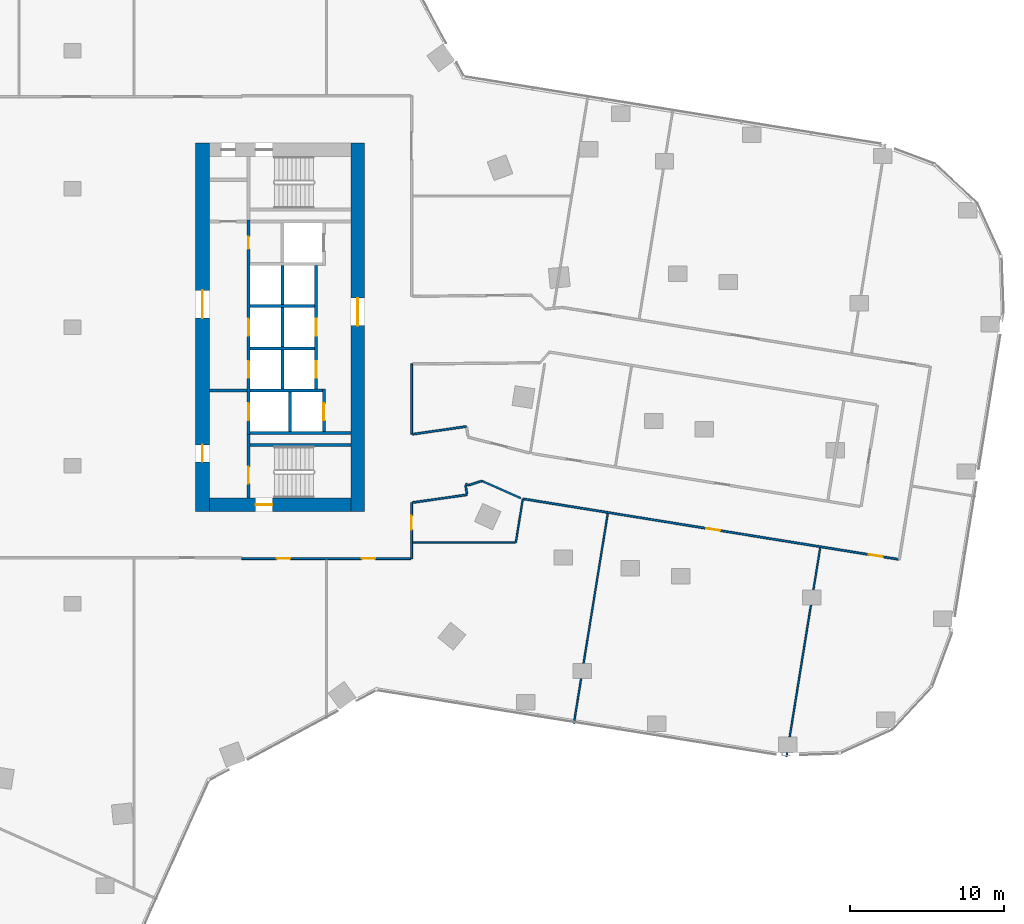
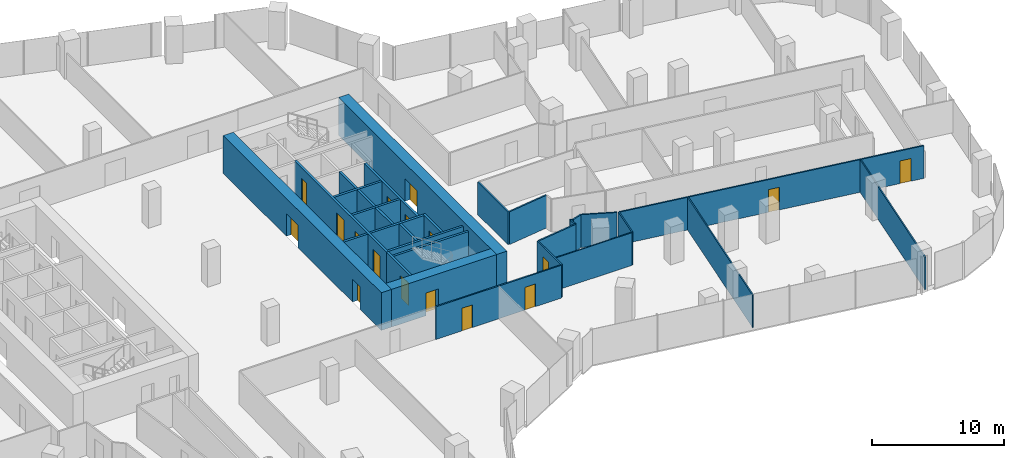
# One storey, part 27 of 34: 31 walls, 17 doors, 17 openings.
"""IFC4 building model written with IfcOpenShell, lengths in metres."""

from ifc_helpers import new_model, si_unit, direction, frame, frame_2d, origin, place, context, subcontext, project, spatial, rectangle, extrude, material, layer, layer_set, type_object, element, fill, save


model = new_model("IFC4")

# Units and contexts
model_context = context("Model", 3, precision=1e-05, world=origin(), true_north=direction((0.0, 1.0)))
body_context = subcontext(model_context, "Body", "Model", "MODEL_VIEW")
ifc_project = project(units=[si_unit("LENGTHUNIT", "METRE"), si_unit("AREAUNIT", "SQUARE_METRE"), si_unit("VOLUMEUNIT", "CUBIC_METRE"), si_unit("PLANEANGLEUNIT", "RADIAN"), si_unit("MASSUNIT", "GRAM", prefix="KILO")], contexts=[model_context])

# Site, building, storey
site_placement = place(None, origin())
site = spatial("IfcSite", under=ifc_project, at=site_placement, CompositionType="ELEMENT")
building_placement = place(site_placement, origin())
building = spatial("IfcBuilding", under=site, at=building_placement, Name="Orlundy Tower", CompositionType="ELEMENT")
storey_placement = place(building_placement, frame((0.0, 0.0, 137.699951171875)))
storey = spatial("IfcBuildingStorey", under=building, at=storey_placement, Name="L35", CompositionType="ELEMENT", Elevation=137.699951171875)

# Wall, opening, door
ifc_material_1 = material(Name="Concrete C80/95", Category="concrete")
ifc_layer_1 = layer(ifc_material_1, 0.89990234375)
ifc_layer_set_1 = layer_set([ifc_layer_1], Name="CORE WALL 900 C80/95")
wall_type_1 = type_object("IfcWallType", Name="CORE WALL 900 C80/95", PredefinedType="SHEAR", material=ifc_layer_set_1)
wall_1_placement = place(storey_placement, frame((8.89990234375, -11.550048828125, 0.0), z_axis=(0.0, 0.0, 1.0), x_axis=(1.0, 0.0, 0.0)))
wall_1 = element("IfcWall", 1, at=wall_1_placement, inside=storey, type_object=wall_type_1, Name="Core wall E-S L35", PredefinedType="SHEAR", context=body_context, shape_type="SweptSolid", body=[
    extrude(rectangle(XDim=9.2001953125, YDim=0.89990234375, at=frame_2d((4.60009765625, 0.0))), origin(), (0.0, 0.0, 1.0), 3.5),
])
opening_1_placement = place(wall_1_placement, frame((3.0, 0.0, 0.0)))
opening_1 = element("IfcOpeningElement", 2, at=opening_1_placement, cuts=wall_1, Name="Opening 26061", PredefinedType="OPENING", context=body_context, shape_type="SweptSolid", body=[
    extrude(rectangle(XDim=1.10009765625, YDim=2.10009765625, at=frame_2d((0.550048828125, 1.050048828125))), frame((0.0, 0.4599609375, 0.0), z_axis=(0.0, -1.0, 0.0), x_axis=(1.0, 0.0, 0.0)), (0.0, 0.0, 1.0), 0.919921875),
])
ifc_material_2 = material(Name="Steel door set", Category="steel")
door_type_1 = type_object("IfcDoorType", Name="Stair Door 1100x2100", OperationType="SINGLE_SWING_LEFT", PredefinedType="DOOR", material=ifc_material_2)
door_1_placement = place(opening_1_placement, origin())
door_1 = element("IfcDoor", 3, at=door_1_placement, inside=storey, type_object=door_type_1, Name="Stair door 26061", OperationType="SINGLE_SWING_LEFT", OverallHeight=2.10009765625, OverallWidth=1.10009765625, PredefinedType="DOOR", context=body_context, shape_type="SweptSolid", body=[
    extrude(rectangle(XDim=1.10009765625, YDim=2.10009765625, at=frame_2d((0.550048828125, 1.050048828125))), frame((0.0, 0.02490234375, 0.0), z_axis=(0.0, -1.0, 0.0), x_axis=(1.0, 0.0, 0.0)), (0.0, 0.0, 1.0), 0.050048828125),
])
fill(opening_1, door_1)

# Wall, openings, doors
wall_2_placement = place(storey_placement, frame((8.449951171875, -12.0, 0.0), z_axis=(0.0, 0.0, 1.0), x_axis=(0.0, 1.0, 0.0)))
wall_2 = element("IfcWall", 4, at=wall_2_placement, inside=storey, type_object=wall_type_1, Name="Core wall E-W L35", PredefinedType="SHEAR", context=body_context, shape_type="SweptSolid", body=[
    extrude(rectangle(XDim=24.0, YDim=0.89990234375, at=frame_2d((12.0, 0.0))), origin(), (0.0, 0.0, 1.0), 3.5),
])
opening_2_placement = place(wall_2_placement, frame((12.60009765625, 0.0, 0.0)))
opening_2 = element("IfcOpeningElement", 5, at=opening_2_placement, cuts=wall_2, Name="Opening 26058", PredefinedType="OPENING", context=body_context, shape_type="SweptSolid", body=[
    extrude(rectangle(XDim=1.800048828125, YDim=2.10009765625, at=frame_2d((0.89990234375, 1.050048828125))), frame((0.0, 0.4599609375, 0.0), z_axis=(0.0, -1.0, 0.0), x_axis=(1.0, 0.0, 0.0)), (0.0, 0.0, 1.0), 0.919921875),
])
opening_3_placement = place(wall_2_placement, frame((3.25, 0.0, 0.0)))
opening_3 = element("IfcOpeningElement", 6, at=opening_3_placement, cuts=wall_2, Name="Opening 26060", PredefinedType="OPENING", context=body_context, shape_type="SweptSolid", body=[
    extrude(rectangle(XDim=1.10009765625, YDim=2.10009765625, at=frame_2d((0.550048828125, 1.050048828125))), frame((0.0, 0.4599609375, 0.0), z_axis=(0.0, -1.0, 0.0), x_axis=(1.0, 0.0, 0.0)), (0.0, 0.0, 1.0), 0.919921875),
])
ifc_material_3 = material(Name="Steel door set", Category="steel")
door_type_2 = type_object("IfcDoorType", Name="Fire-fighting Lobby Door 1100x2100", OperationType="SINGLE_SWING_LEFT", PredefinedType="DOOR", material=ifc_material_3)
door_2_placement = place(opening_3_placement, origin())
door_2 = element("IfcDoor", 7, at=door_2_placement, inside=storey, type_object=door_type_2, Name="Fire-fighting lobby door 26060", OperationType="SINGLE_SWING_LEFT", OverallHeight=2.10009765625, OverallWidth=1.10009765625, PredefinedType="DOOR", context=body_context, shape_type="SweptSolid", body=[
    extrude(rectangle(XDim=1.10009765625, YDim=2.10009765625, at=frame_2d((0.550048828125, 1.050048828125))), frame((0.0, 0.02490234375, 0.0), z_axis=(0.0, -1.0, 0.0), x_axis=(1.0, 0.0, 0.0)), (0.0, 0.0, 1.0), 0.050048828125),
])
fill(opening_3, door_2)
ifc_material_4 = material(Name="Timber door set", Category="wood")
door_type_3 = type_object("IfcDoorType", Name="Lobby Door 1800x2100", OperationType="DOUBLE_DOOR_DOUBLE_SWING", PredefinedType="DOOR", material=ifc_material_4)
door_3_placement = place(opening_2_placement, origin())
door_3 = element("IfcDoor", 8, at=door_3_placement, inside=storey, type_object=door_type_3, Name="Lift lobby door 26058", OperationType="SINGLE_SWING_RIGHT", OverallHeight=2.10009765625, OverallWidth=1.800048828125, PredefinedType="DOOR", context=body_context, shape_type="SweptSolid", body=[
    extrude(rectangle(XDim=1.800048828125, YDim=2.10009765625, at=frame_2d((0.89990234375, 1.050048828125))), frame((0.0, 0.02490234375, 0.0), z_axis=(0.0, -1.0, 0.0), x_axis=(1.0, 0.0, 0.0)), (0.0, 0.0, 1.0), 0.050048828125),
])
fill(opening_2, door_3)

# Wall, opening, door
wall_3_placement = place(storey_placement, frame((18.550048828125, -12.0, 0.0), z_axis=(0.0, 0.0, 1.0), x_axis=(0.0, 1.0, 0.0)))
wall_3 = element("IfcWall", 9, at=wall_3_placement, inside=storey, type_object=wall_type_1, Name="Core wall E-E L35", PredefinedType="SHEAR", context=body_context, shape_type="SweptSolid", body=[
    extrude(rectangle(XDim=24.0, YDim=0.89990234375, at=frame_2d((12.0, 0.0))), origin(), (0.0, 0.0, 1.0), 3.5),
])
opening_4_placement = place(wall_3_placement, frame((12.10009765625, 0.0, 0.0)))
opening_4 = element("IfcOpeningElement", 10, at=opening_4_placement, cuts=wall_3, Name="Opening 26059", PredefinedType="OPENING", context=body_context, shape_type="SweptSolid", body=[
    extrude(rectangle(XDim=1.800048828125, YDim=2.10009765625, at=frame_2d((0.89990234375, 1.050048828125))), frame((0.0, 0.4599609375, 0.0), z_axis=(0.0, -1.0, 0.0), x_axis=(1.0, 0.0, 0.0)), (0.0, 0.0, 1.0), 0.919921875),
])
door_4_placement = place(opening_4_placement, origin())
door_4 = element("IfcDoor", 11, at=door_4_placement, inside=storey, type_object=door_type_3, Name="Lift lobby door 26059", OperationType="SINGLE_SWING_RIGHT", OverallHeight=2.10009765625, OverallWidth=1.800048828125, PredefinedType="DOOR", context=body_context, shape_type="SweptSolid", body=[
    extrude(rectangle(XDim=1.800048828125, YDim=2.10009765625, at=frame_2d((0.89990234375, 1.050048828125))), frame((0.0, 0.02490234375, 0.0), z_axis=(0.0, -1.0, 0.0), x_axis=(1.0, 0.0, 0.0)), (0.0, 0.0, 1.0), 0.050048828125),
])
fill(opening_4, door_4)

# Walls
ifc_material_5 = material(Name="Gypsum board partition")
ifc_layer_2 = layer(ifc_material_5, 0.10009765625)
ifc_layer_set_2 = layer_set([ifc_layer_2], Name="Floor partition 100")
wall_type_2 = type_object("IfcWallType", Name="Floor partition 100", PredefinedType="PARTITIONING", material=ifc_layer_set_2)
wall_4_placement = place(storey_placement, frame((22.113037109375, -14.0, 0.0), z_axis=(0.0, 0.0, 1.0), x_axis=(1.0, 0.0, 0.0)))
element("IfcWall", 12, at=wall_4_placement, inside=storey, type_object=wall_type_2, Name="wall-int-L35-036", PredefinedType="PARTITIONING", context=body_context, shape_type="SweptSolid", body=[
    extrude(rectangle(XDim=6.66796875, YDim=0.10009765625, at=frame_2d((3.333984375, 0.0))), origin(), (0.0, 0.0, 1.0), 3.030029296875),
])
wall_5_placement = place(storey_placement, frame((46.43994140625, -27.950927734375, 0.0), z_axis=(0.0, 0.0, 1.0), x_axis=(0.159329896372, 0.987225396818, 0.0)))
element("IfcWall", 13, at=wall_5_placement, inside=storey, type_object=wall_type_2, Name="wall-int-L35-064", PredefinedType="PARTITIONING", context=body_context, shape_type="SweptSolid", body=[
    extrude(rectangle(XDim=13.782958984375, YDim=0.10009765625, at=frame_2d((6.8916015625, 0.0))), origin(), (0.0, 0.0, 1.0), 3.030029296875),
])
wall_6_placement = place(storey_placement, frame((32.610107421875, -25.77392578125, 0.0), z_axis=(0.0, 0.0, 1.0), x_axis=(0.159346714874, 0.987222682306, 0.0)))
element("IfcWall", 14, at=wall_6_placement, inside=storey, type_object=wall_type_2, Name="wall-int-L35-067", PredefinedType="PARTITIONING", context=body_context, shape_type="SweptSolid", body=[
    extrude(rectangle(XDim=13.836669921875, YDim=0.10009765625, at=frame_2d((6.91845703125, 0.0))), origin(), (0.0, 0.0, 1.0), 3.030029296875),
])
wall_7_placement = place(storey_placement, frame((28.8310546875, -13.9990234375, 0.0), z_axis=(0.0, 0.0, 1.0), x_axis=(0.15953925726, 0.987191584948, 0.0)))
element("IfcWall", 15, at=wall_7_placement, inside=storey, type_object=wall_type_2, Name="wall-int-L35-070", PredefinedType="PARTITIONING", context=body_context, shape_type="SweptSolid", body=[
    extrude(rectangle(XDim=2.876953125, YDim=0.10009765625, at=frame_2d((1.4384765625, 0.0))), origin(), (0.0, 0.0, 1.0), 3.030029296875),
])
ifc_material_6 = material(Name="Gypsum board partition, double layer")
ifc_layer_3 = layer(ifc_material_6, 0.125)
ifc_layer_set_3 = layer_set([ifc_layer_3], Name="Floor partition 125")
wall_type_3 = type_object("IfcWallType", Name="Floor partition 125", PredefinedType="PARTITIONING", material=ifc_layer_set_3)
wall_8_placement = place(storey_placement, frame((25.571044921875, -10.299072265625, 0.0), z_axis=(0.0, 0.0, 1.0), x_axis=(0.141799477861, -0.989895402595, 0.0)))
element("IfcWall", 16, at=wall_8_placement, inside=storey, type_object=wall_type_3, Name="wall-int-L35-006", PredefinedType="PARTITIONING", context=body_context, shape_type="SweptSolid", body=[
    extrude(rectangle(XDim=0.542236328125, YDim=0.125, at=frame_2d((0.27099609375, 0.0))), origin(), (0.0, 0.0, 1.0), 3.030029296875),
])
wall_9_placement = place(storey_placement, frame((26.6259765625, -9.9990234375, 0.0), z_axis=(0.0, 0.0, 1.0), x_axis=(0.914493335472, -0.404600963145, 0.0)))
element("IfcWall", 17, at=wall_9_placement, inside=storey, type_object=wall_type_3, Name="wall-int-L35-010", PredefinedType="PARTITIONING", context=body_context, shape_type="SweptSolid", body=[
    extrude(rectangle(XDim=2.770751953125, YDim=0.125, at=frame_2d((1.38525390625, 0.0))), origin(), (0.0, 0.0, 1.0), 3.030029296875),
])
wall_10_placement = place(storey_placement, frame((25.55810546875, -10.2060546875, 0.0), z_axis=(0.0, 0.0, 1.0), x_axis=(0.968355193071, -0.249576080688, 0.0)))
element("IfcWall", 18, at=wall_10_placement, inside=storey, type_object=wall_type_3, Name="wall-int-L35-022", PredefinedType="PARTITIONING", context=body_context, shape_type="SweptSolid", body=[
    extrude(rectangle(XDim=0.24462890625, YDim=0.125, at=frame_2d((0.122314453125, 0.0))), origin(), (0.0, 0.0, 1.0), 3.030029296875),
])

# Wall, openings, doors
wall_11_placement = place(storey_placement, frame((53.719970703125, -15.096923828125, 0.0), z_axis=(0.0, 0.0, 1.0), x_axis=(-0.987256807208, 0.159135152063, 0.0)))
wall_11 = element("IfcWall", 19, at=wall_11_placement, inside=storey, type_object=wall_type_3, Name="wall-int-L35-024", PredefinedType="PARTITIONING", context=body_context, shape_type="SweptSolid", body=[
    extrude(rectangle(XDim=24.695556640625, YDim=0.125, at=frame_2d((12.34765625, 0.0))), origin(), (0.0, 0.0, 1.0), 3.030029296875),
])
opening_5_placement = place(wall_11_placement, frame((1.038818359375, 0.0, 0.0)))
opening_5 = element("IfcOpeningElement", 20, at=opening_5_placement, cuts=wall_11, Name="Opening 26105", PredefinedType="OPENING", context=body_context, shape_type="SweptSolid", body=[
    extrude(rectangle(XDim=0.89990234375, YDim=2.10009765625, at=frame_2d((0.449951171875, 1.050048828125))), frame((0.0, 0.072509765625, 0.0), z_axis=(0.0, -1.0, 0.0), x_axis=(1.0, 0.0, 0.0)), (0.0, 0.0, 1.0), 0.14501953125),
])
opening_6_placement = place(wall_11_placement, frame((11.7392578125, 0.0, 0.0)))
opening_6 = element("IfcOpeningElement", 21, at=opening_6_placement, cuts=wall_11, Name="Opening 26107", PredefinedType="OPENING", context=body_context, shape_type="SweptSolid", body=[
    extrude(rectangle(XDim=0.89990234375, YDim=2.10009765625, at=frame_2d((0.449951171875, 1.050048828125))), frame((0.0, 0.072509765625, 0.0), z_axis=(0.0, -1.0, 0.0), x_axis=(1.0, 0.0, 0.0)), (0.0, 0.0, 1.0), 0.14501953125),
])
ifc_material_7 = material(Name="Timber door leaf", Category="wood")
door_type_4 = type_object("IfcDoorType", Name="Floor door single 900 FD30S", OperationType="NOTDEFINED", PredefinedType="DOOR", material=ifc_material_7)
door_5_placement = place(opening_5_placement, origin())
door_5 = element("IfcDoor", 22, at=door_5_placement, inside=storey, type_object=door_type_4, Name="Door 26105", OperationType="SINGLE_SWING_LEFT", OverallHeight=2.10009765625, OverallWidth=0.89990234375, PredefinedType="DOOR", context=body_context, shape_type="SweptSolid", body=[
    extrude(rectangle(XDim=0.89990234375, YDim=2.10009765625, at=frame_2d((0.449951171875, 1.050048828125))), frame((0.0, 0.02490234375, 0.0), z_axis=(0.0, -1.0, 0.0), x_axis=(1.0, 0.0, 0.0)), (0.0, 0.0, 1.0), 0.050048828125),
])
fill(opening_5, door_5)
door_6_placement = place(opening_6_placement, origin())
door_6 = element("IfcDoor", 23, at=door_6_placement, inside=storey, type_object=door_type_4, Name="Door 26107", OperationType="SINGLE_SWING_LEFT", OverallHeight=2.10009765625, OverallWidth=0.89990234375, PredefinedType="DOOR", context=body_context, shape_type="SweptSolid", body=[
    extrude(rectangle(XDim=0.89990234375, YDim=2.10009765625, at=frame_2d((0.449951171875, 1.050048828125))), frame((0.0, 0.02490234375, 0.0), z_axis=(0.0, -1.0, 0.0), x_axis=(1.0, 0.0, 0.0)), (0.0, 0.0, 1.0), 0.050048828125),
])
fill(opening_6, door_6)

wall_12_placement = place(storey_placement, frame((21.988037109375, -15.051025390625, 0.0), z_axis=(0.0, 0.0, 1.0), x_axis=(-1.0, 0.0, 0.0)))
wall_12 = element("IfcWall", 24, at=wall_12_placement, inside=storey, type_object=wall_type_3, Name="wall-int-L35-033", PredefinedType="PARTITIONING", context=body_context, shape_type="SweptSolid", body=[
    extrude(rectangle(XDim=10.9970703125, YDim=0.125, at=frame_2d((5.49853515625, 0.0))), origin(), (0.0, 0.0, 1.0), 3.030029296875),
])
opening_7_placement = place(wall_12_placement, frame((7.81640625, 0.0, 0.0)))
opening_7 = element("IfcOpeningElement", 25, at=opening_7_placement, cuts=wall_12, Name="Opening 26124", PredefinedType="OPENING", context=body_context, shape_type="SweptSolid", body=[
    extrude(rectangle(XDim=0.89990234375, YDim=2.10009765625, at=frame_2d((0.449951171875, 1.050048828125))), frame((0.0, 0.072509765625, 0.0), z_axis=(0.0, -1.0, 0.0), x_axis=(1.0, 0.0, 0.0)), (0.0, 0.0, 1.0), 0.14501953125),
])
opening_8_placement = place(wall_12_placement, frame((2.28759765625, 0.0, 0.0)))
opening_8 = element("IfcOpeningElement", 26, at=opening_8_placement, cuts=wall_12, Name="Opening 26125", PredefinedType="OPENING", context=body_context, shape_type="SweptSolid", body=[
    extrude(rectangle(XDim=0.89990234375, YDim=2.10009765625, at=frame_2d((0.449951171875, 1.050048828125))), frame((0.0, 0.072509765625, 0.0), z_axis=(0.0, -1.0, 0.0), x_axis=(1.0, 0.0, 0.0)), (0.0, 0.0, 1.0), 0.14501953125),
])
door_7_placement = place(opening_7_placement, origin())
door_7 = element("IfcDoor", 27, at=door_7_placement, inside=storey, type_object=door_type_4, Name="Door 26124", OperationType="SINGLE_SWING_RIGHT", OverallHeight=2.10009765625, OverallWidth=0.89990234375, PredefinedType="DOOR", context=body_context, shape_type="SweptSolid", body=[
    extrude(rectangle(XDim=0.89990234375, YDim=2.10009765625, at=frame_2d((0.449951171875, 1.050048828125))), frame((0.0, 0.02490234375, 0.0), z_axis=(0.0, -1.0, 0.0), x_axis=(1.0, 0.0, 0.0)), (0.0, 0.0, 1.0), 0.050048828125),
])
fill(opening_7, door_7)
door_8_placement = place(opening_8_placement, origin())
door_8 = element("IfcDoor", 28, at=door_8_placement, inside=storey, type_object=door_type_4, Name="Door 26125", OperationType="SINGLE_SWING_LEFT", OverallHeight=2.10009765625, OverallWidth=0.89990234375, PredefinedType="DOOR", context=body_context, shape_type="SweptSolid", body=[
    extrude(rectangle(XDim=0.89990234375, YDim=2.10009765625, at=frame_2d((0.449951171875, 1.050048828125))), frame((0.0, 0.02490234375, 0.0), z_axis=(0.0, -1.0, 0.0), x_axis=(1.0, 0.0, 0.0)), (0.0, 0.0, 1.0), 0.050048828125),
])
fill(opening_8, door_8)

# Walls
wall_13_placement = place(storey_placement, frame((25.656982421875, -10.89892578125, 0.0), z_axis=(0.0, 0.0, 1.0), x_axis=(-0.989918099623, -0.141640940543, 0.0)))
element("IfcWall", 29, at=wall_13_placement, inside=storey, type_object=wall_type_3, Name="wall-int-L35-049", PredefinedType="PARTITIONING", context=body_context, shape_type="SweptSolid", body=[
    extrude(rectangle(XDim=3.580078125, YDim=0.125, at=frame_2d((1.7900390625, 0.0))), origin(), (0.0, 0.0, 1.0), 3.030029296875),
])
wall_14_placement = place(storey_placement, frame((22.113037109375, -6.9599609375, 0.0), z_axis=(0.0, 0.0, 1.0), x_axis=(0.989901265857, 0.141758540679, 0.0)))
element("IfcWall", 30, at=wall_14_placement, inside=storey, type_object=wall_type_3, Name="wall-int-L35-050", PredefinedType="PARTITIONING", context=body_context, shape_type="SweptSolid", body=[
    extrude(rectangle(XDim=3.5478515625, YDim=0.125, at=frame_2d((1.77392578125, 0.0))), origin(), (0.0, 0.0, 1.0), 3.030029296875),
])
wall_15_placement = place(storey_placement, frame((25.7958984375, -10.26708984375, 0.0), z_axis=(0.0, 0.0, 1.0), x_axis=(0.951608325535, 0.307313512187, 0.0)))
element("IfcWall", 31, at=wall_15_placement, inside=storey, type_object=wall_type_3, Name="wall-int-L35-053", PredefinedType="PARTITIONING", context=body_context, shape_type="SweptSolid", body=[
    extrude(rectangle(XDim=0.872314453125, YDim=0.125, at=frame_2d((0.43603515625, 0.0))), origin(), (0.0, 0.0, 1.0), 3.030029296875),
])

# Wall, opening, door
wall_16_placement = place(storey_placement, frame((22.051025390625, -11.4150390625, 0.0), z_axis=(0.0, 0.0, 1.0), x_axis=(0.0, -1.0, 0.0)))
wall_16 = element("IfcWall", 32, at=wall_16_placement, inside=storey, type_object=wall_type_3, Name="wall-int-L35-076", PredefinedType="PARTITIONING", context=body_context, shape_type="SweptSolid", body=[
    extrude(rectangle(XDim=3.634033203125, YDim=0.125, at=frame_2d((1.81689453125, 0.0))), origin(), (0.0, 0.0, 1.0), 3.030029296875),
])
opening_9_placement = place(wall_16_placement, frame((0.85009765625, 0.0, 0.0)))
opening_9 = element("IfcOpeningElement", 33, at=opening_9_placement, cuts=wall_16, Name="Opening 26126", PredefinedType="OPENING", context=body_context, shape_type="SweptSolid", body=[
    extrude(rectangle(XDim=0.89990234375, YDim=2.10009765625, at=frame_2d((0.449951171875, 1.050048828125))), frame((0.0, 0.072509765625, 0.0), z_axis=(0.0, -1.0, 0.0), x_axis=(1.0, 0.0, 0.0)), (0.0, 0.0, 1.0), 0.14501953125),
])
door_9_placement = place(opening_9_placement, origin())
door_9 = element("IfcDoor", 34, at=door_9_placement, inside=storey, type_object=door_type_4, Name="Door 26126", OperationType="SINGLE_SWING_LEFT", OverallHeight=2.10009765625, OverallWidth=0.89990234375, PredefinedType="DOOR", context=body_context, shape_type="SweptSolid", body=[
    extrude(rectangle(XDim=0.89990234375, YDim=2.10009765625, at=frame_2d((0.449951171875, 1.050048828125))), frame((0.0, 0.02490234375, 0.0), z_axis=(0.0, -1.0, 0.0), x_axis=(1.0, 0.0, 0.0)), (0.0, 0.0, 1.0), 0.050048828125),
])
fill(opening_9, door_9)

# Walls
wall_17_placement = place(storey_placement, frame((22.051025390625, -6.968994140625, 0.0), z_axis=(0.0, 0.0, 1.0), x_axis=(0.0, 1.0, 0.0)))
element("IfcWall", 35, at=wall_17_placement, inside=storey, type_object=wall_type_3, Name="wall-int-L35-077", PredefinedType="PARTITIONING", context=body_context, shape_type="SweptSolid", body=[
    extrude(rectangle(XDim=4.58203125, YDim=0.125, at=frame_2d((2.291015625, 0.0))), origin(), (0.0, 0.0, 1.0), 3.030029296875),
])
ifc_material_8 = material(Name="Concrete C40/50", Category="concrete")
ifc_layer_4 = layer(ifc_material_8, 0.199951171875)
ifc_layer_set_4 = layer_set([ifc_layer_4], Name="Load-bearing Shaft Wall 200")
wall_type_4 = type_object("IfcWallType", Name="Load-bearing Shaft Wall 200", PredefinedType="SOLIDWALL", material=ifc_layer_set_4)
wall_18_placement = place(storey_placement, frame((11.5400390625, -6.875, 0.0), z_axis=(0.0, 0.0, 1.0), x_axis=(1.0, 0.0, 0.0)))
element("IfcWall", 36, at=wall_18_placement, inside=storey, type_object=wall_type_4, Name="Shaft wall E26-zone-n", PredefinedType="SOLIDWALL", context=body_context, shape_type="SweptSolid", body=[
    extrude(rectangle(XDim=6.56005859375, YDim=0.199951171875, at=frame_2d((3.280029296875, 0.0))), origin(), (0.0, 0.0, 1.0), 3.050048828125),
])
for number, where, z_axis, x_axis, name in (
    (37, (11.5400390625, 1.375, 0.0), (0.0, 0.0, 1.0), (1.0, 0.0, 0.0), "Shaft wall E26-cross-1.375"),
    (38, (11.5400390625, -1.375, 0.0), (0.0, 0.0, 1.0), (1.0, 0.0, 0.0), "Shaft wall E26-cross+1.375"),
):
    element("IfcWall", number, at=place(storey_placement, frame(where, z_axis=z_axis, x_axis=x_axis)), inside=storey, type_object=wall_type_4, Name=name, PredefinedType="SOLIDWALL", context=body_context, shape_type="SweptSolid", body=[
        extrude(rectangle(XDim=4.199951171875, YDim=0.199951171875, at=frame_2d((2.10009765625, 0.0))), origin(), (0.0, 0.0, 1.0), 3.050048828125),
    ])
wall_19_placement = place(storey_placement, frame((11.5400390625, -4.125, 0.0), z_axis=(0.0, 0.0, 1.0), x_axis=(1.0, 0.0, 0.0)))
element("IfcWall", 39, at=wall_19_placement, inside=storey, type_object=wall_type_4, Name="Shaft wall E26-cross+4.125", PredefinedType="SOLIDWALL", context=body_context, shape_type="SweptSolid", body=[
    extrude(rectangle(XDim=4.699951171875, YDim=0.199951171875, at=frame_2d((2.35009765625, 0.0))), origin(), (0.0, 0.0, 1.0), 3.050048828125),
])

# Wall, openings, doors
wall_20_placement = place(storey_placement, frame((11.43994140625, 6.97509765625, 0.0), z_axis=(0.0, 0.0, 1.0), x_axis=(0.0, -1.0, 0.0)))
wall_20 = element("IfcWall", 40, at=wall_20_placement, inside=storey, type_object=wall_type_4, Name="Shaft wall E26-front-h", PredefinedType="SOLIDWALL", context=body_context, shape_type="SweptSolid", body=[
    extrude(rectangle(XDim=13.9501953125, YDim=0.199951171875, at=frame_2d((6.97509765625, 0.0))), origin(), (0.0, 0.0, 1.0), 3.050048828125),
])
opening_10_placement = place(wall_20_placement, frame((6.425048828125, 0.0, 0.0)))
opening_10 = element("IfcOpeningElement", 41, at=opening_10_placement, cuts=wall_20, Name="Opening 26051", PredefinedType="OPENING", context=body_context, shape_type="SweptSolid", body=[
    extrude(rectangle(XDim=1.10009765625, YDim=2.10009765625, at=frame_2d((0.550048828125, 1.050048828125))), frame((0.0, 0.110107421875, 0.0), z_axis=(0.0, -1.0, 0.0), x_axis=(1.0, 0.0, 0.0)), (0.0, 0.0, 1.0), 0.22021484375),
])
opening_11_placement = place(wall_20_placement, frame((9.175048828125, 0.0, 0.0)))
opening_11 = element("IfcOpeningElement", 42, at=opening_11_placement, cuts=wall_20, Name="Opening 26053", PredefinedType="OPENING", context=body_context, shape_type="SweptSolid", body=[
    extrude(rectangle(XDim=1.10009765625, YDim=2.10009765625, at=frame_2d((0.550048828125, 1.050048828125))), frame((0.0, 0.110107421875, 0.0), z_axis=(0.0, -1.0, 0.0), x_axis=(1.0, 0.0, 0.0)), (0.0, 0.0, 1.0), 0.22021484375),
])
opening_12_placement = place(wall_20_placement, frame((11.925048828125, 0.0, 0.0)))
opening_12 = element("IfcOpeningElement", 43, at=opening_12_placement, cuts=wall_20, Name="Opening 26055", PredefinedType="OPENING", context=body_context, shape_type="SweptSolid", body=[
    extrude(rectangle(XDim=1.10009765625, YDim=2.10009765625, at=frame_2d((0.550048828125, 1.050048828125))), frame((0.0, 0.110107421875, 0.0), z_axis=(0.0, -1.0, 0.0), x_axis=(1.0, 0.0, 0.0)), (0.0, 0.0, 1.0), 0.22021484375),
])
opening_13_placement = place(wall_20_placement, frame((1.074951171875, 0.0, 0.0)))
opening_13 = element("IfcOpeningElement", 44, at=opening_13_placement, cuts=wall_20, Name="Opening 26057", PredefinedType="OPENING", context=body_context, shape_type="SweptSolid", body=[
    extrude(rectangle(XDim=0.800048828125, YDim=2.10009765625, at=frame_2d((0.39990234375, 1.050048828125))), frame((0.0, 0.110107421875, 0.0), z_axis=(0.0, -1.0, 0.0), x_axis=(1.0, 0.0, 0.0)), (0.0, 0.0, 1.0), 0.22021484375),
])
ifc_material_9 = material(Name="Steel door set", Category="steel")
door_type_5 = type_object("IfcDoorType", Name="Landing Door 1100x2100", OperationType="DOUBLE_DOOR_SLIDING", PredefinedType="DOOR", material=ifc_material_9)
door_10_placement = place(opening_10_placement, origin())
door_10 = element("IfcDoor", 45, at=door_10_placement, inside=storey, type_object=door_type_5, Name="Lift landing door LP-10 26051", OperationType="DOUBLE_DOOR_SLIDING", OverallHeight=2.10009765625, OverallWidth=1.10009765625, PredefinedType="DOOR", context=body_context, shape_type="SweptSolid", body=[
    extrude(rectangle(XDim=1.10009765625, YDim=2.10009765625, at=frame_2d((0.550048828125, 1.050048828125))), frame((0.0, 0.02490234375, 0.0), z_axis=(0.0, -1.0, 0.0), x_axis=(1.0, 0.0, 0.0)), (0.0, 0.0, 1.0), 0.050048828125),
])
fill(opening_10, door_10)
door_11_placement = place(opening_11_placement, origin())
door_11 = element("IfcDoor", 46, at=door_11_placement, inside=storey, type_object=door_type_5, Name="Lift landing door LP-07 26053", OperationType="DOUBLE_DOOR_SLIDING", OverallHeight=2.10009765625, OverallWidth=1.10009765625, PredefinedType="DOOR", context=body_context, shape_type="SweptSolid", body=[
    extrude(rectangle(XDim=1.10009765625, YDim=2.10009765625, at=frame_2d((0.550048828125, 1.050048828125))), frame((0.0, 0.02490234375, 0.0), z_axis=(0.0, -1.0, 0.0), x_axis=(1.0, 0.0, 0.0)), (0.0, 0.0, 1.0), 0.050048828125),
])
fill(opening_11, door_11)
door_12_placement = place(opening_12_placement, origin())
door_12 = element("IfcDoor", 47, at=door_12_placement, inside=storey, type_object=door_type_5, Name="Lift landing door FL2 26055", OperationType="DOUBLE_DOOR_SLIDING", OverallHeight=2.10009765625, OverallWidth=1.10009765625, PredefinedType="DOOR", context=body_context, shape_type="SweptSolid", body=[
    extrude(rectangle(XDim=1.10009765625, YDim=2.10009765625, at=frame_2d((0.550048828125, 1.050048828125))), frame((0.0, 0.02490234375, 0.0), z_axis=(0.0, -1.0, 0.0), x_axis=(1.0, 0.0, 0.0)), (0.0, 0.0, 1.0), 0.050048828125),
])
fill(opening_12, door_12)
ifc_material_10 = material(Name="Timber door set", Category="wood")
door_type_6 = type_object("IfcDoorType", Name="Riser Door 800x2100", OperationType="SINGLE_SWING_LEFT", PredefinedType="DOOR", material=ifc_material_10)
door_13_placement = place(opening_13_placement, origin())
door_13 = element("IfcDoor", 48, at=door_13_placement, inside=storey, type_object=door_type_6, Name="Telecom Room door 26057", OperationType="SINGLE_SWING_LEFT", OverallHeight=2.10009765625, OverallWidth=0.800048828125, PredefinedType="DOOR", context=body_context, shape_type="SweptSolid", body=[
    extrude(rectangle(XDim=0.800048828125, YDim=2.10009765625, at=frame_2d((0.39990234375, 1.050048828125))), frame((0.0, 0.02490234375, 0.0), z_axis=(0.0, -1.0, 0.0), x_axis=(1.0, 0.0, 0.0)), (0.0, 0.0, 1.0), 0.050048828125),
])
fill(opening_13, door_13)

# Walls
for number, where, z_axis, x_axis, name in (
    (49, (13.639892578125, 4.02490234375, 0.0), (0.0, 0.0, 1.0), (0.0, -1.0, 0.0), "Shaft wall E26-mid-a.1"),
    (50, (13.639892578125, 1.27490234375, 0.0), (0.0, 0.0, 1.0), (0.0, -1.0, 0.0), "Shaft wall E26-mid-a.2"),
    (51, (13.639892578125, -1.47509765625, 0.0), (0.0, 0.0, 1.0), (0.0, -1.0, 0.0), "Shaft wall E26-mid-a.3"),
    (52, (14.139892578125, -4.22509765625, 0.0), (0.0, 0.0, 1.0), (0.0, -1.0, 0.0), "Shaft wall E26-mid-b"),
):
    element("IfcWall", number, at=place(storey_placement, frame(where, z_axis=z_axis, x_axis=x_axis)), inside=storey, type_object=wall_type_4, Name=name, PredefinedType="SOLIDWALL", context=body_context, shape_type="SweptSolid", body=[
        extrude(rectangle(XDim=2.5498046875, YDim=0.199951171875, at=frame_2d((1.27490234375, 0.0))), origin(), (0.0, 0.0, 1.0), 3.050048828125),
    ])

# Wall, openings, doors
wall_21_placement = place(storey_placement, frame((15.840087890625, 4.02490234375, 0.0), z_axis=(0.0, 0.0, 1.0), x_axis=(0.0, -1.0, 0.0)))
wall_21 = element("IfcWall", 53, at=wall_21_placement, inside=storey, type_object=wall_type_4, Name="Shaft wall E26-front-o-b", PredefinedType="SOLIDWALL", context=body_context, shape_type="SweptSolid", body=[
    extrude(rectangle(XDim=8.0498046875, YDim=0.199951171875, at=frame_2d((4.02490234375, 0.0))), origin(), (0.0, 0.0, 1.0), 3.050048828125),
])
opening_14_placement = place(wall_21_placement, frame((3.47509765625, 0.0, 0.0)))
opening_14 = element("IfcOpeningElement", 54, at=opening_14_placement, cuts=wall_21, Name="Opening 26052", PredefinedType="OPENING", context=body_context, shape_type="SweptSolid", body=[
    extrude(rectangle(XDim=1.10009765625, YDim=2.10009765625, at=frame_2d((0.550048828125, 1.050048828125))), frame((0.0, 0.110107421875, 0.0), z_axis=(0.0, -1.0, 0.0), x_axis=(1.0, 0.0, 0.0)), (0.0, 0.0, 1.0), 0.22021484375),
])
opening_15_placement = place(wall_21_placement, frame((6.22509765625, 0.0, 0.0)))
opening_15 = element("IfcOpeningElement", 55, at=opening_15_placement, cuts=wall_21, Name="Opening 26054", PredefinedType="OPENING", context=body_context, shape_type="SweptSolid", body=[
    extrude(rectangle(XDim=1.10009765625, YDim=2.10009765625, at=frame_2d((0.550048828125, 1.050048828125))), frame((0.0, 0.110107421875, 0.0), z_axis=(0.0, -1.0, 0.0), x_axis=(1.0, 0.0, 0.0)), (0.0, 0.0, 1.0), 0.22021484375),
])
door_14_placement = place(opening_14_placement, origin())
door_14 = element("IfcDoor", 56, at=door_14_placement, inside=storey, type_object=door_type_5, Name="Lift landing door LP-06 26052", OperationType="DOUBLE_DOOR_SLIDING", OverallHeight=2.10009765625, OverallWidth=1.10009765625, PredefinedType="DOOR", context=body_context, shape_type="SweptSolid", body=[
    extrude(rectangle(XDim=1.10009765625, YDim=2.10009765625, at=frame_2d((0.550048828125, 1.050048828125))), frame((0.0, 0.02490234375, 0.0), z_axis=(0.0, -1.0, 0.0), x_axis=(1.0, 0.0, 0.0)), (0.0, 0.0, 1.0), 0.050048828125),
])
fill(opening_14, door_14)
door_15_placement = place(opening_15_placement, origin())
door_15 = element("IfcDoor", 57, at=door_15_placement, inside=storey, type_object=door_type_5, Name="Lift landing door LP-08 26054", OperationType="DOUBLE_DOOR_SLIDING", OverallHeight=2.10009765625, OverallWidth=1.10009765625, PredefinedType="DOOR", context=body_context, shape_type="SweptSolid", body=[
    extrude(rectangle(XDim=1.10009765625, YDim=2.10009765625, at=frame_2d((0.550048828125, 1.050048828125))), frame((0.0, 0.02490234375, 0.0), z_axis=(0.0, -1.0, 0.0), x_axis=(1.0, 0.0, 0.0)), (0.0, 0.0, 1.0), 0.050048828125),
])
fill(opening_15, door_15)

# Wall, opening, door
wall_22_placement = place(storey_placement, frame((16.340087890625, -4.02490234375, 0.0), z_axis=(0.0, 0.0, 1.0), x_axis=(0.0, -1.0, 0.0)))
wall_22 = element("IfcWall", 58, at=wall_22_placement, inside=storey, type_object=wall_type_4, Name="Shaft wall E26-front-o-c", PredefinedType="SOLIDWALL", context=body_context, shape_type="SweptSolid", body=[
    extrude(rectangle(XDim=2.75, YDim=0.199951171875, at=frame_2d((1.375, 0.0))), origin(), (0.0, 0.0, 1.0), 3.050048828125),
])
opening_16_placement = place(wall_22_placement, frame((0.925048828125, 0.0, 0.0)))
opening_16 = element("IfcOpeningElement", 59, at=opening_16_placement, cuts=wall_22, Name="Opening 26056", PredefinedType="OPENING", context=body_context, shape_type="SweptSolid", body=[
    extrude(rectangle(XDim=1.10009765625, YDim=2.10009765625, at=frame_2d((0.550048828125, 1.050048828125))), frame((0.0, 0.110107421875, 0.0), z_axis=(0.0, -1.0, 0.0), x_axis=(1.0, 0.0, 0.0)), (0.0, 0.0, 1.0), 0.22021484375),
])
door_16_placement = place(opening_16_placement, origin())
door_16 = element("IfcDoor", 60, at=door_16_placement, inside=storey, type_object=door_type_5, Name="Lift landing door LP-09 26056", OperationType="DOUBLE_DOOR_SLIDING", OverallHeight=2.10009765625, OverallWidth=1.10009765625, PredefinedType="DOOR", context=body_context, shape_type="SweptSolid", body=[
    extrude(rectangle(XDim=1.10009765625, YDim=2.10009765625, at=frame_2d((0.550048828125, 1.050048828125))), frame((0.0, 0.02490234375, 0.0), z_axis=(0.0, -1.0, 0.0), x_axis=(1.0, 0.0, 0.0)), (0.0, 0.0, 1.0), 0.050048828125),
])
fill(opening_16, door_16)

wall_23_placement = place(storey_placement, frame((11.43994140625, -6.97509765625, 0.0), z_axis=(0.0, 0.0, 1.0), x_axis=(0.0, -1.0, 0.0)))
wall_23 = element("IfcWall", 61, at=wall_23_placement, inside=storey, type_object=wall_type_4, Name="Shaft wall E26-stair-end-n", PredefinedType="SOLIDWALL", context=body_context, shape_type="SweptSolid", body=[
    extrude(rectangle(XDim=4.125, YDim=0.199951171875, at=frame_2d((2.0625, 0.0))), origin(), (0.0, 0.0, 1.0), 3.050048828125),
])
opening_17_placement = place(wall_23_placement, frame((2.10009765625, 0.0, 0.0)))
opening_17 = element("IfcOpeningElement", 62, at=opening_17_placement, cuts=wall_23, Name="Opening 26063", PredefinedType="OPENING", context=body_context, shape_type="SweptSolid", body=[
    extrude(rectangle(XDim=1.10009765625, YDim=2.10009765625, at=frame_2d((0.550048828125, 1.050048828125))), frame((0.0, 0.110107421875, 0.0), z_axis=(0.0, -1.0, 0.0), x_axis=(1.0, 0.0, 0.0)), (0.0, 0.0, 1.0), 0.22021484375),
])
door_17_placement = place(opening_17_placement, origin())
door_17 = element("IfcDoor", 63, at=door_17_placement, inside=storey, type_object=door_type_2, Name="Fire-fighting lobby to stair door 26063", OperationType="SINGLE_SWING_RIGHT", OverallHeight=2.10009765625, OverallWidth=1.10009765625, PredefinedType="DOOR", context=body_context, shape_type="SweptSolid", body=[
    extrude(rectangle(XDim=1.10009765625, YDim=2.10009765625, at=frame_2d((0.550048828125, 1.050048828125))), frame((0.0, 0.02490234375, 0.0), z_axis=(0.0, -1.0, 0.0), x_axis=(1.0, 0.0, 0.0)), (0.0, 0.0, 1.0), 0.050048828125),
])
fill(opening_17, door_17)

# Walls
wall_24_placement = place(storey_placement, frame((11.5400390625, -7.64990234375, 0.0), z_axis=(0.0, 0.0, 1.0), x_axis=(1.0, 0.0, 0.0)))
element("IfcWall", 64, at=wall_24_placement, inside=storey, type_object=wall_type_4, Name="Shaft wall E26-stair-side-n", PredefinedType="SOLIDWALL", context=body_context, shape_type="SweptSolid", body=[
    extrude(rectangle(XDim=6.56005859375, YDim=0.199951171875, at=frame_2d((3.280029296875, 0.0))), origin(), (0.0, 0.0, 1.0), 3.050048828125),
])
ifc_material_11 = material(Name="Gypsum board partition on steel studs", Category="steel")
ifc_layer_5 = layer(ifc_material_11, 0.199951171875)
ifc_layer_set_5 = layer_set([ifc_layer_5], Name="Partition 200")
wall_type_5 = type_object("IfcWallType", Name="Partition 200", PredefinedType="PARTITIONING", material=ifc_layer_set_5)
wall_25_placement = place(storey_placement, frame((8.89990234375, -4.125, 0.0), z_axis=(0.0, 0.0, 1.0), x_axis=(1.0, 0.0, 0.0)))
element("IfcWall", 65, at=wall_25_placement, inside=storey, type_object=wall_type_5, Name="Partition wall E26-lobby-n", PredefinedType="PARTITIONING", context=body_context, shape_type="SweptSolid", body=[
    extrude(rectangle(XDim=2.440185546875, YDim=0.199951171875, at=frame_2d((1.22021484375, 0.0))), origin(), (0.0, 0.0, 1.0), 3.050048828125),
])

save(model, "model.ifc")
